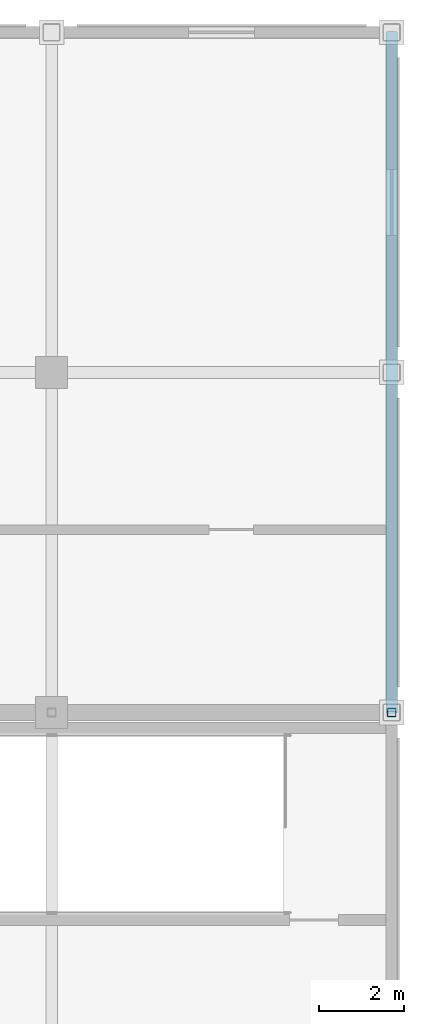
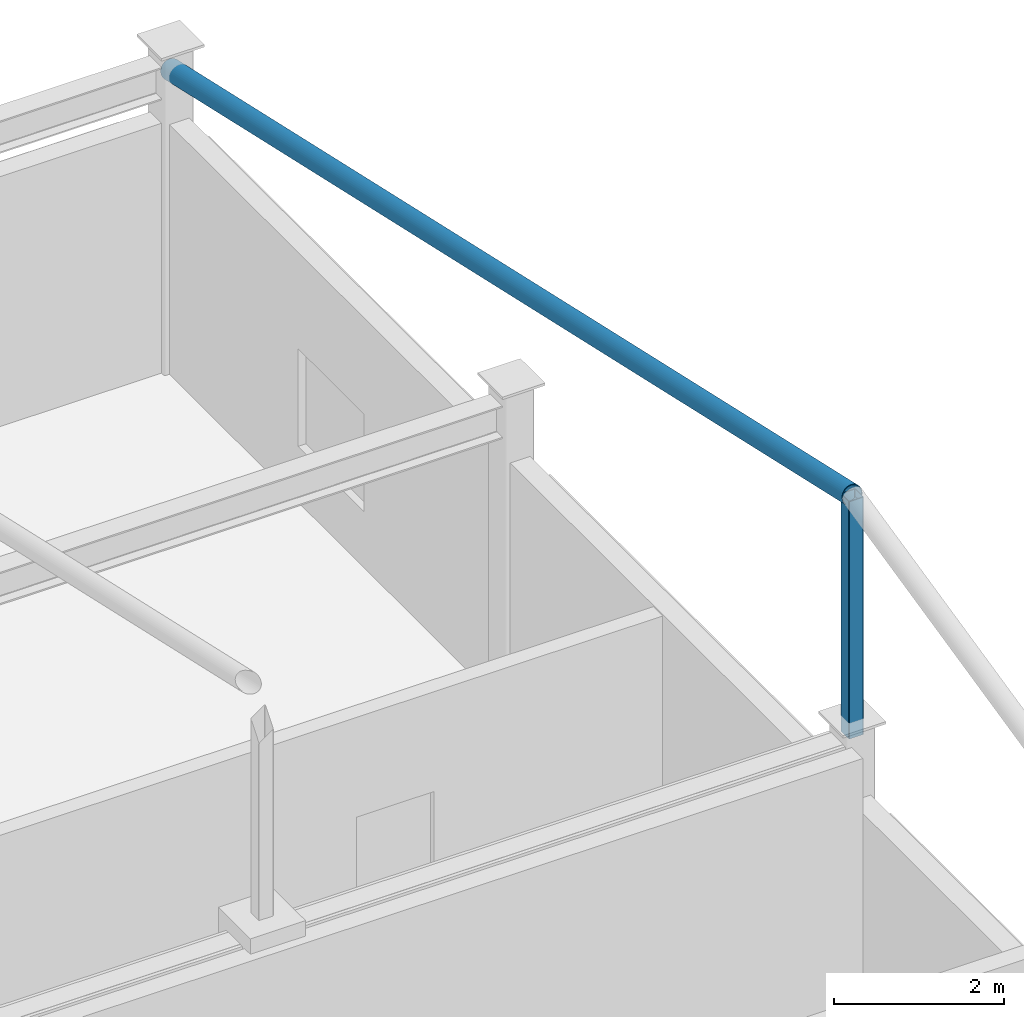
# One storey, part 10 of 16: 2 members.
"""IFC4 building model written with IfcOpenShell, lengths in metres."""

from ifc_helpers import new_model, si_unit, direction, frame, origin, origin_2d, place, context, subcontext, project, spatial, hollow_rectangle, hollow_circle, extrude, material, material_profile, profile_set, type_object, element, save


model = new_model("IFC4")

# Units and contexts
model_context = context("Model", 3, precision=1e-05, world=origin(), true_north=direction((0.0, 1.0)))
body_context = subcontext(model_context, "Body", "Model", "MODEL_VIEW")
ifc_project = project(units=[si_unit("LENGTHUNIT", "METRE"), si_unit("AREAUNIT", "SQUARE_METRE"), si_unit("VOLUMEUNIT", "CUBIC_METRE"), si_unit("PLANEANGLEUNIT", "RADIAN"), si_unit("MASSUNIT", "GRAM", prefix="KILO")], contexts=[model_context])

# Site, building, storey
site_placement = place(None, origin())
site = spatial("IfcSite", under=ifc_project, at=site_placement, CompositionType="ELEMENT")
building_placement = place(site_placement, origin())
building = spatial("IfcBuilding", under=site, at=building_placement, Name="Solmirada Galleria", CompositionType="ELEMENT")
storey_placement = place(building_placement, frame((0.0, 0.0, 32.89990234375)))
storey = spatial("IfcBuildingStorey", under=building, at=storey_placement, Name="L07", CompositionType="ELEMENT", Elevation=32.89990234375)

# Members
ifc_material = material(Name="Steel S355 / ASTM A500 Grade C", Category="steel")
ifc_material_profile_1 = material_profile(ifc_material, hollow_rectangle(XDim=0.202880859375, YDim=0.202880859375, WallThickness=0.0087890625, InnerFilletRadius=0.0087890625, OuterFilletRadius=0.017822265625, at=origin_2d()), Name="HSS8X8X3/8")
ifc_profile_set_1 = profile_set([ifc_material_profile_1], Name="Steel S355 / ASTM A500 Grade C")
member_type_1 = type_object("IfcMemberType", Name="MEM-CBF-BRACE2", PredefinedType="BRACE", material=ifc_profile_set_1)
member_1_placement = place(storey_placement, frame((176.0, 104.0, 4.400146484375), z_axis=(0.0, 0.0, 1.0), x_axis=(1.0, 0.0, 0.0)))
element("IfcMember", 1, at=member_1_placement, inside=storey, type_object=member_type_1, Name="NE pediment ridge post X=176", PredefinedType="BRACE", context=body_context, shape_type="SweptSolid", body=[
    extrude(hollow_rectangle(XDim=0.202880859375, YDim=0.202880859375, WallThickness=0.0087890625, InnerFilletRadius=0.0087890625, OuterFilletRadius=0.017822265625, at=origin_2d()), origin(), (0.0, 0.0, 1.0), 3.39990234375),
])
ifc_material_profile_2 = material_profile(ifc_material, hollow_circle(Radius=0.136474609375, WallThickness=0.0087890625, at=origin_2d()), Name="HSS10.750X0.375")
ifc_profile_set_2 = profile_set([ifc_material_profile_2], Name="Steel S355 / ASTM A500 Grade C")
member_type_2 = type_object("IfcMemberType", Name="MEM-FH-CHORD", PredefinedType="CHORD", material=ifc_profile_set_2)
member_2_placement = place(storey_placement, frame((176.0, 104.0, 7.800048828125), z_axis=(0.0, 0.97561166892, -0.219503693515), x_axis=(-1.0, 0.0, 0.0)))
element("IfcMember", 2, at=member_2_placement, inside=storey, type_object=member_type_2, Name="NE pediment north rafter X=176", PredefinedType="CHORD", context=body_context, shape_type="SweptSolid", body=[
    extrude(hollow_circle(Radius=0.136474609375, WallThickness=0.0087890625, at=origin_2d()), origin(), (0.0, 0.0, 1.0), 16.39990234375),
])

save(model, "model.ifc")
